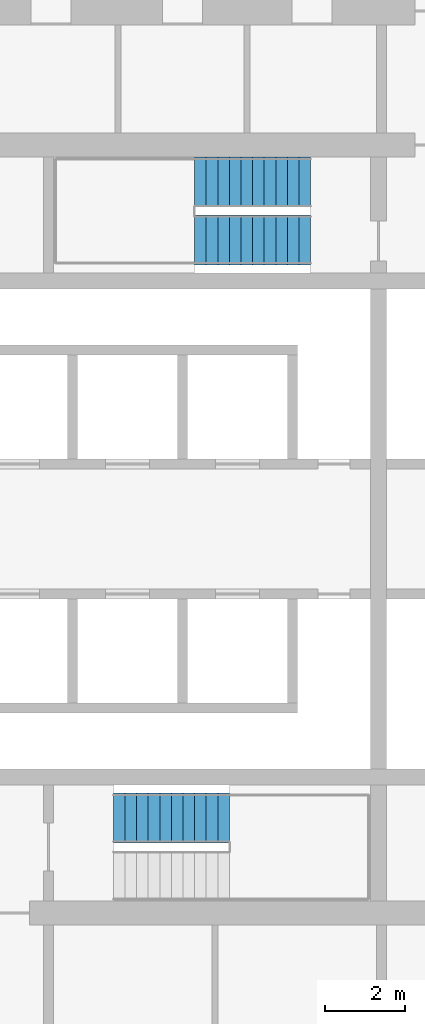
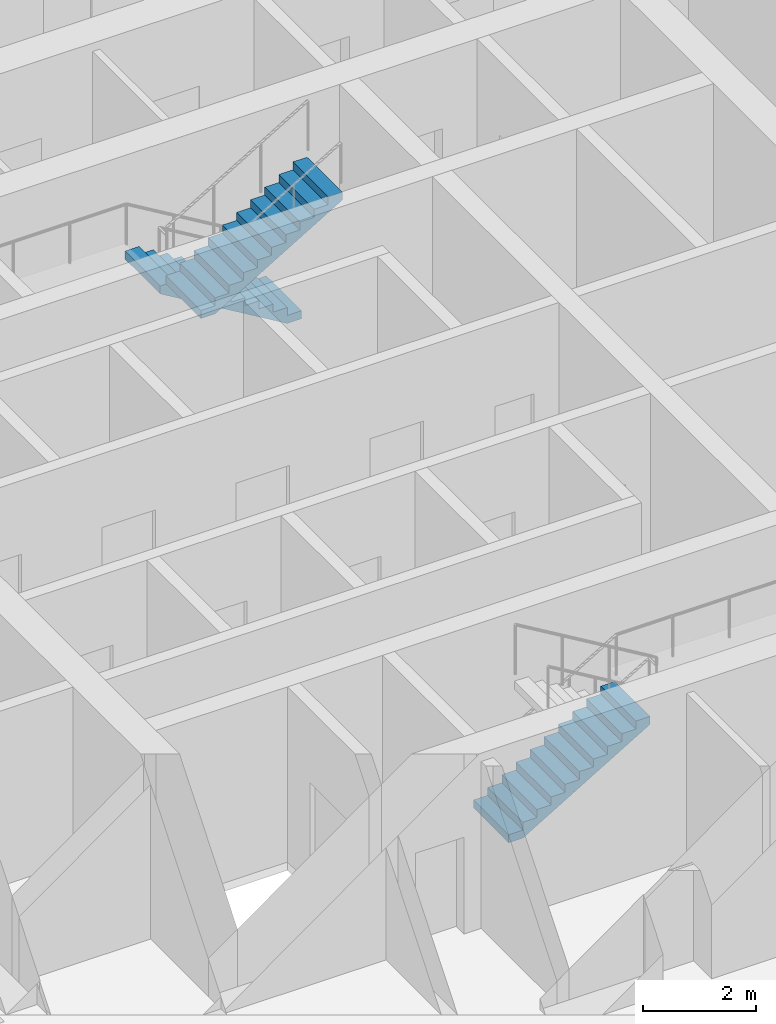
# One storey, part 8 of 9: 3 stair flights, 2 elements without a shape of their own.
"""IFC4 building model written with IfcOpenShell, lengths in metres."""

from ifc_helpers import new_model, si_unit, direction, frame, origin, place, context, subcontext, project, spatial, polyline, outline, extrude, material, type_object, element, aggregate, save


model = new_model("IFC4")

# Units and contexts
model_context = context("Model", 3, precision=1e-05, world=origin(), true_north=direction((0.0, 1.0)))
body_context = subcontext(model_context, "Body", "Model", "MODEL_VIEW")
ifc_project = project(units=[si_unit("LENGTHUNIT", "METRE"), si_unit("AREAUNIT", "SQUARE_METRE"), si_unit("VOLUMEUNIT", "CUBIC_METRE"), si_unit("PLANEANGLEUNIT", "RADIAN"), si_unit("MASSUNIT", "GRAM", prefix="KILO")], contexts=[model_context])

# Site, building, storey
site_placement = place(None, origin())
site = spatial("IfcSite", under=ifc_project, at=site_placement, CompositionType="ELEMENT")
building_placement = place(site_placement, origin())
building = spatial("IfcBuilding", under=site, at=building_placement, Name="Ostroluk Exchange", CompositionType="ELEMENT")
storey_placement = place(building_placement, frame((0.0, 0.0, 138.800048828125)))
storey = spatial("IfcBuildingStorey", under=building, at=storey_placement, Name="L35", CompositionType="ELEMENT", Elevation=138.800048828125)

# Stair, stair flight
ifc_material_1 = material(Name="Concrete C30/37", Category="concrete")
stair_type = type_object("IfcStairType", Name="Exit stair half turn 3800", PredefinedType="HALF_TURN_STAIR", material=ifc_material_1)
stair_1_placement = place(storey_placement, origin())
stair_1 = element("IfcStair", 1, at=stair_1_placement, inside=storey, type_object=stair_type, Name="Stair T1-S1 L35", PredefinedType="HALF_TURN_STAIR")
ifc_material_2 = material(Name="Concrete C30/37", Category="concrete")
stair_flight_type = type_object("IfcStairFlightType", Name="Stair flight 11 risers 172.7 x 290", PredefinedType="STRAIGHT", material=ifc_material_2)
stair_flight_1_placement = place(storey_placement, frame((42.10009765625, 38.77490234375, 0.0), z_axis=(0.0, 0.0, 1.0), x_axis=(1.0, 0.0, 0.0)))
stair_flight_1 = element("IfcStairFlight", 2, at=stair_flight_1_placement, type_object=stair_flight_type, Name="T1-S1 flight 1", NumberOfRisers=11, NumberOfTreads=10, PredefinedType="STRAIGHT", RiserHeight=0.172727273, TreadLength=0.29, context=body_context, shape_type="SweptSolid", body=[
    extrude(outline(polyline([(0.0, 0.0), (0.0, 0.172607421875), (0.2900390625, 0.172607421875), (0.2900390625, 0.345458984375), (0.580078125, 0.345458984375), (0.580078125, 0.51806640625), (0.8701171875, 0.51806640625), (0.8701171875, 0.69091796875), (1.159912109375, 0.69091796875), (1.159912109375, 0.863525390625), (1.449951171875, 0.863525390625), (1.449951171875, 1.036376953125), (1.739990234375, 1.036376953125), (1.739990234375, 1.208984375), (2.030029296875, 1.208984375), (2.030029296875, 1.3818359375), (2.320068359375, 1.3818359375), (2.320068359375, 1.554443359375), (2.610107421875, 1.554443359375), (2.610107421875, 1.727294921875), (2.89990234375, 1.727294921875), (2.89990234375, 1.89990234375), (2.89990234375, 1.552734375), (0.29296875, 0.0), (0.0, 0.0)])), frame((0.0, 0.625, 0.0), z_axis=(0.0, -1.0, 0.0), x_axis=(1.0, 0.0, 0.0)), (0.0, 0.0, 1.0), 1.25),
])
aggregate(stair_1, [stair_flight_1])

# Stair, stair flights
stair_2_placement = place(storey_placement, origin())
stair_2 = element("IfcStair", 3, at=stair_2_placement, inside=storey, type_object=stair_type, Name="Stair T1-S2 L35", PredefinedType="HALF_TURN_STAIR")
stair_flight_2_placement = place(storey_placement, frame((47.030029296875, 54.675048828125, 0.0), z_axis=(0.0, 0.0, 1.0), x_axis=(-1.0, 0.0, 0.0)))
stair_flight_2 = element("IfcStairFlight", 4, at=stair_flight_2_placement, type_object=stair_flight_type, Name="T1-S2 flight 1", NumberOfRisers=11, NumberOfTreads=10, PredefinedType="STRAIGHT", RiserHeight=0.172727273, TreadLength=0.29, context=body_context, shape_type="SweptSolid", body=[
    extrude(outline(polyline([(0.0, 0.0), (0.0, 0.172607421875), (0.2900390625, 0.172607421875), (0.2900390625, 0.345458984375), (0.580078125, 0.345458984375), (0.580078125, 0.51806640625), (0.8701171875, 0.51806640625), (0.8701171875, 0.69091796875), (1.159912109375, 0.69091796875), (1.159912109375, 0.863525390625), (1.449951171875, 0.863525390625), (1.449951171875, 1.036376953125), (1.739990234375, 1.036376953125), (1.739990234375, 1.208984375), (2.030029296875, 1.208984375), (2.030029296875, 1.3818359375), (2.320068359375, 1.3818359375), (2.320068359375, 1.554443359375), (2.610107421875, 1.554443359375), (2.610107421875, 1.727294921875), (2.89990234375, 1.727294921875), (2.89990234375, 1.89990234375), (2.89990234375, 1.552734375), (0.29296875, 0.0), (0.0, 0.0)])), frame((0.0, 0.625, 0.0), z_axis=(0.0, -1.0, 0.0), x_axis=(1.0, 0.0, 0.0)), (0.0, 0.0, 1.0), 1.25),
])
stair_flight_3_placement = place(storey_placement, frame((44.1298828125, 53.22509765625, 1.89990234375), z_axis=(0.0, 0.0, 1.0), x_axis=(1.0, 0.0, 0.0)))
stair_flight_3 = element("IfcStairFlight", 5, at=stair_flight_3_placement, type_object=stair_flight_type, Name="T1-S2 flight 2", NumberOfRisers=11, NumberOfTreads=10, PredefinedType="STRAIGHT", RiserHeight=0.172727273, TreadLength=0.29, context=body_context, shape_type="SweptSolid", body=[
    extrude(outline(polyline([(0.0, 0.0), (0.0, 0.172607421875), (0.2900390625, 0.172607421875), (0.2900390625, 0.345458984375), (0.580078125, 0.345458984375), (0.580078125, 0.51806640625), (0.8701171875, 0.51806640625), (0.8701171875, 0.69091796875), (1.159912109375, 0.69091796875), (1.159912109375, 0.863525390625), (1.449951171875, 0.863525390625), (1.449951171875, 1.036376953125), (1.739990234375, 1.036376953125), (1.739990234375, 1.208984375), (2.030029296875, 1.208984375), (2.030029296875, 1.3818359375), (2.320068359375, 1.3818359375), (2.320068359375, 1.554443359375), (2.610107421875, 1.554443359375), (2.610107421875, 1.727294921875), (2.89990234375, 1.727294921875), (2.89990234375, 1.89990234375), (2.89990234375, 1.552734375), (0.29296875, 0.0), (0.0, 0.0)])), frame((0.0, 0.625, 0.0), z_axis=(0.0, -1.0, 0.0), x_axis=(1.0, 0.0, 0.0)), (0.0, 0.0, 1.0), 1.25),
])
aggregate(stair_2, [stair_flight_2, stair_flight_3])

save(model, "model.ifc")
